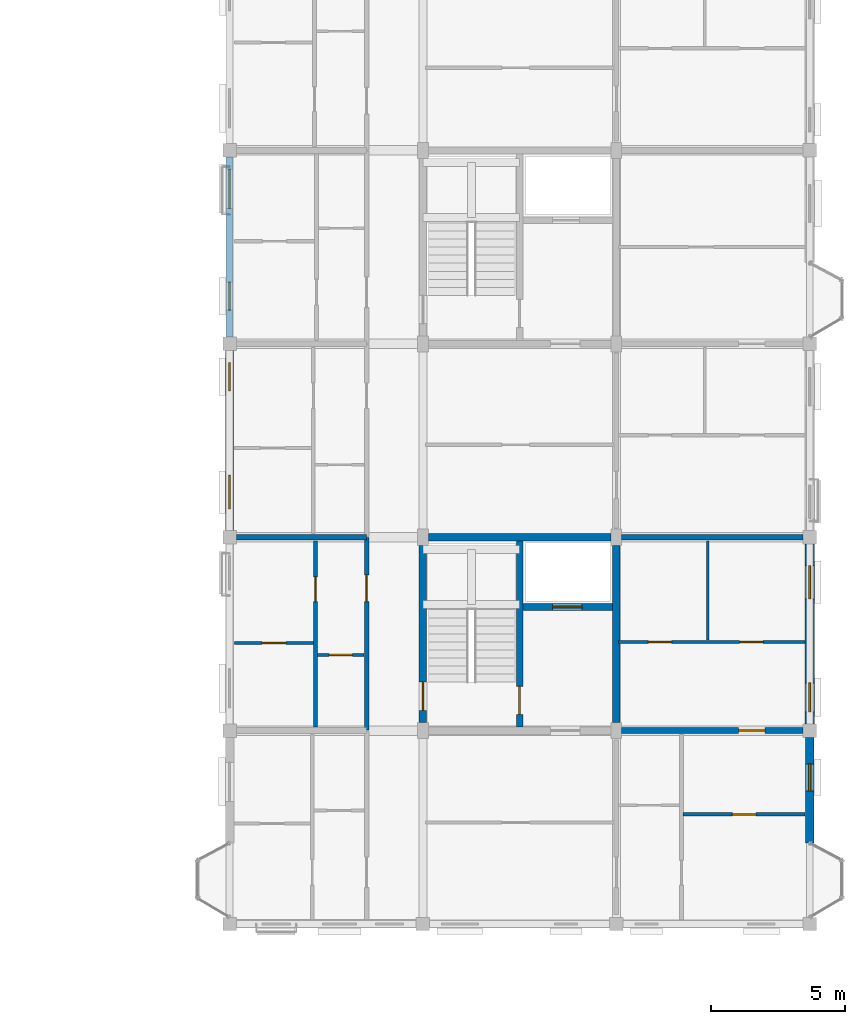
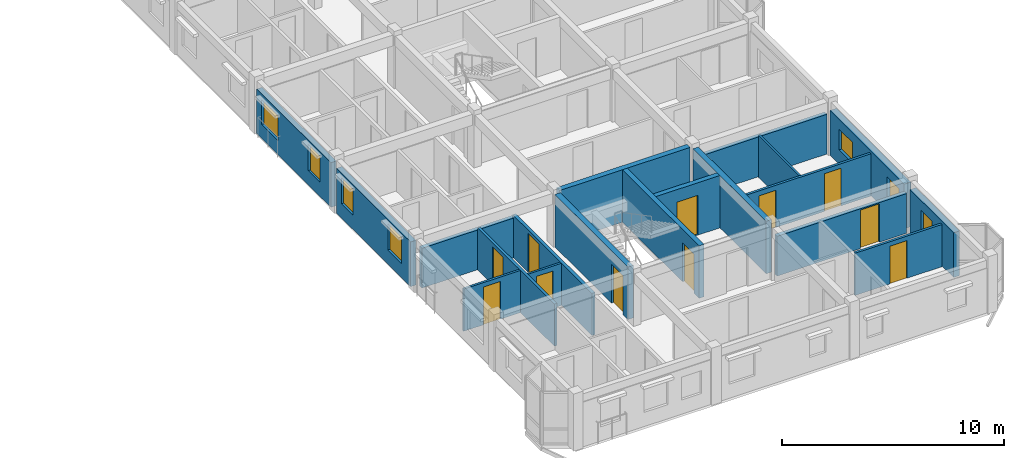
# One storey, part 48 of 64: 19 walls, 11 doors, 7 windows, 18 openings.
"""IFC4 building model written with IfcOpenShell, lengths in metres."""

from ifc_helpers import new_model, si_unit, direction, frame, frame_2d, origin, place, context, subcontext, project, spatial, rectangle, extrude, material, layer, layer_set, type_object, element, fill, save


model = new_model("IFC4")

# Units and contexts
model_context = context("Model", 3, precision=1e-05, world=origin(), true_north=direction((0.0, 1.0)))
body_context = subcontext(model_context, "Body", "Model", "MODEL_VIEW")
ifc_project = project(units=[si_unit("LENGTHUNIT", "METRE"), si_unit("AREAUNIT", "SQUARE_METRE"), si_unit("VOLUMEUNIT", "CUBIC_METRE"), si_unit("PLANEANGLEUNIT", "RADIAN"), si_unit("MASSUNIT", "GRAM", prefix="KILO"), si_unit("THERMODYNAMICTEMPERATUREUNIT", "KELVIN"), si_unit("POWERUNIT", "WATT")], contexts=[model_context])

# Site, building, storey
site_placement = place(None, origin())
site = spatial("IfcSite", under=ifc_project, at=site_placement, CompositionType="ELEMENT")
building_placement = place(site_placement, origin())
building = spatial("IfcBuilding", under=site, at=building_placement, Name="Tavuni Mirador Residences", CompositionType="ELEMENT")
storey_placement = place(building_placement, frame((0.0, 0.0, 26.550048828125)))
storey = spatial("IfcBuildingStorey", under=building, at=storey_placement, Name="L08", CompositionType="ELEMENT", Elevation=26.550048828125)

# Wall, opening, door
ifc_material_1 = material(Name="Precast concrete C40/50", Category="concrete")
ifc_layer_1 = layer(ifc_material_1, 0.25, Name="Precast concrete C40/50", Category="concrete")
ifc_layer_set_1 = layer_set([ifc_layer_1], Name="Precast concrete C40/50")
wall_type_1 = type_object("IfcWallType", Name="WT-COR250", PredefinedType="SHEAR", material=ifc_layer_set_1)
wall_1_placement = place(storey_placement, frame((108.0, 93.739990234375, 0.0), z_axis=(0.0, 0.0, 1.0), x_axis=(0.0, 1.0, 0.0)))
wall_1 = element("IfcWall", 1, at=wall_1_placement, inside=storey, type_object=wall_type_1, Name="CWALL-C7-L08-MID", PredefinedType="SHEAR", context=body_context, shape_type="SweptSolid", body=[
    extrude(rectangle(XDim=6.919921875, YDim=0.25, at=frame_2d((3.4599609375, 0.0))), origin(), (0.0, 0.0, 1.0), 2.889892578125),
])
opening_1_placement = place(wall_1_placement, frame((0.4599609375, 0.0, 0.0)))
opening_1 = element("IfcOpeningElement", 2, at=opening_1_placement, cuts=wall_1, Name="Opening D-01", PredefinedType="OPENING", context=body_context, shape_type="SweptSolid", body=[
    extrude(rectangle(XDim=1.050048828125, YDim=2.14990234375, at=frame_2d((0.52490234375, 1.074951171875))), frame((0.0, 0.135009765625, 0.0), z_axis=(0.0, -1.0, 0.0), x_axis=(1.0, 0.0, 0.0)), (0.0, 0.0, 1.0), 0.27001953125),
])
ifc_material_2 = material(Name="Solid core iroko timber", Category="wood")
door_type_1 = type_object("IfcDoorType", Name="DT-ST1050", OperationType="NOTDEFINED", PredefinedType="DOOR", material=ifc_material_2)
door_1_placement = place(opening_1_placement, origin())
door_1 = element("IfcDoor", 3, at=door_1_placement, inside=storey, type_object=door_type_1, Name="DR-2299", OperationType="SINGLE_SWING_LEFT", OverallHeight=2.14990234375, OverallWidth=1.050048828125, PredefinedType="DOOR", context=body_context, shape_type="SweptSolid", body=[
    extrude(rectangle(XDim=1.050048828125, YDim=2.14990234375, at=frame_2d((0.52490234375, 1.074951171875))), frame((0.0, 0.02490234375, 0.0), z_axis=(0.0, -1.0, 0.0), x_axis=(1.0, 0.0, 0.0)), (0.0, 0.0, 1.0), 0.050048828125),
])
fill(opening_1, door_1)

wall_2_placement = place(storey_placement, frame((108.125, 98.199951171875, 0.0), z_axis=(0.0, 0.0, 1.0), x_axis=(1.0, 0.0, 0.0)))
wall_2 = element("IfcWall", 4, at=wall_2_placement, inside=storey, type_object=wall_type_1, Name="CWALL-C7-L08-SHF", PredefinedType="SHEAR", context=body_context, shape_type="SweptSolid", body=[
    extrude(rectangle(XDim=3.3349609375, YDim=0.25, at=frame_2d((1.66748046875, 0.0))), origin(), (0.0, 0.0, 1.0), 2.889892578125),
])
opening_2_placement = place(wall_2_placement, frame((1.10009765625, 0.0, 0.0)))
opening_2 = element("IfcOpeningElement", 5, at=opening_2_placement, cuts=wall_2, Name="Opening LD-01", PredefinedType="OPENING", context=body_context, shape_type="SweptSolid", body=[
    extrude(rectangle(XDim=1.10009765625, YDim=2.199951171875, at=frame_2d((0.550048828125, 1.10009765625))), frame((0.0, 0.135009765625, 0.0), z_axis=(0.0, -1.0, 0.0), x_axis=(1.0, 0.0, 0.0)), (0.0, 0.0, 1.0), 0.27001953125),
])
ifc_material_3 = material(Name="Structural steel S355", Category="steel")
door_type_2 = type_object("IfcDoorType", Name="DT-LD-FF", OperationType="SLIDING_TO_LEFT", PredefinedType="DOOR", material=ifc_material_3)
door_2_placement = place(opening_2_placement, origin())
door_2 = element("IfcDoor", 6, at=door_2_placement, inside=storey, type_object=door_type_2, Name="Lift landing door FL-D1 L08", OperationType="SLIDING_TO_LEFT", OverallHeight=2.199951171875, OverallWidth=1.10009765625, PredefinedType="DOOR", context=body_context, shape_type="SweptSolid", body=[
    extrude(rectangle(XDim=1.10009765625, YDim=2.199951171875, at=frame_2d((0.550048828125, 1.10009765625))), frame((0.0, 0.02490234375, 0.0), z_axis=(0.0, -1.0, 0.0), x_axis=(1.0, 0.0, 0.0)), (0.0, 0.0, 1.0), 0.050048828125),
])
fill(opening_2, door_2)

ifc_layer_2 = layer(ifc_material_1, 0.280029296875, Name="Precast concrete C40/50", Category="concrete")
ifc_layer_set_2 = layer_set([ifc_layer_2], Name="Precast concrete C40/50")
wall_type_2 = type_object("IfcWallType", Name="WT-COR280", PredefinedType="SHEAR", material=ifc_layer_set_2)
wall_3_placement = place(storey_placement, frame((104.39990234375, 93.89990234375, 0.0), z_axis=(0.0, 0.0, 1.0), x_axis=(0.0, 1.0, 0.0)))
wall_3 = element("IfcWall", 7, at=wall_3_placement, inside=storey, type_object=wall_type_2, Name="CWALL-C7-L08-W", PredefinedType="SHEAR", context=body_context, shape_type="SweptSolid", body=[
    extrude(rectangle(XDim=6.60009765625, YDim=0.280029296875, at=frame_2d((3.300048828125, 0.0))), origin(), (0.0, 0.0, 1.0), 2.889892578125),
])
opening_3_placement = place(wall_3_placement, frame((0.449951171875, 0.0, 0.0)))
opening_3 = element("IfcOpeningElement", 8, at=opening_3_placement, cuts=wall_3, Name="Opening D-01", PredefinedType="OPENING", context=body_context, shape_type="SweptSolid", body=[
    extrude(rectangle(XDim=1.050048828125, YDim=2.14990234375, at=frame_2d((0.52490234375, 1.074951171875))), frame((0.0, 0.14990234375, 0.0), z_axis=(0.0, -1.0, 0.0), x_axis=(1.0, 0.0, 0.0)), (0.0, 0.0, 1.0), 0.300048828125),
])
door_3_placement = place(opening_3_placement, origin())
door_3 = element("IfcDoor", 9, at=door_3_placement, inside=storey, type_object=door_type_1, Name="DR-2297", OperationType="SINGLE_SWING_RIGHT", OverallHeight=2.14990234375, OverallWidth=1.050048828125, PredefinedType="DOOR", context=body_context, shape_type="SweptSolid", body=[
    extrude(rectangle(XDim=1.050048828125, YDim=2.14990234375, at=frame_2d((0.52490234375, 1.074951171875))), frame((0.0, 0.02490234375, 0.0), z_axis=(0.0, -1.0, 0.0), x_axis=(1.0, 0.0, 0.0)), (0.0, 0.0, 1.0), 0.050048828125),
])
fill(opening_3, door_3)

# Walls
wall_4_placement = place(storey_placement, frame((104.60009765625, 100.800048828125, 0.0), z_axis=(0.0, 0.0, 1.0), x_axis=(1.0, 0.0, 0.0)))
element("IfcWall", 10, at=wall_4_placement, inside=storey, type_object=wall_type_2, Name="CWALL-C7-L08-N", PredefinedType="SHEAR", context=body_context, shape_type="SweptSolid", body=[
    extrude(rectangle(XDim=6.7998046875, YDim=0.280029296875, at=frame_2d((3.39990234375, 0.0))), origin(), (0.0, 0.0, 1.0), 2.889892578125),
])
wall_5_placement = place(storey_placement, frame((111.60009765625, 93.89990234375, 0.0), z_axis=(0.0, 0.0, 1.0), x_axis=(0.0, 1.0, 0.0)))
element("IfcWall", 11, at=wall_5_placement, inside=storey, type_object=wall_type_2, Name="CWALL-C7-L08-E", PredefinedType="SHEAR", context=body_context, shape_type="SweptSolid", body=[
    extrude(rectangle(XDim=6.60009765625, YDim=0.280029296875, at=frame_2d((3.300048828125, 0.0))), origin(), (0.0, 0.0, 1.0), 2.889892578125),
])

# Wall, opening, door
ifc_layer_3 = layer(ifc_material_1, 0.1650390625, Name="Precast concrete C40/50", Category="concrete")
ifc_layer_set_3 = layer_set([ifc_layer_3], Name="Precast concrete C40/50")
wall_type_3 = type_object("IfcWallType", Name="WT-CORR165", PredefinedType="PARTITIONING", material=ifc_layer_set_3)
wall_6_placement = place(storey_placement, frame((102.300048828125, 93.6201171875, 0.0), z_axis=(0.0, 0.0, 1.0), x_axis=(0.0, 1.0, 0.0)))
wall_6 = element("IfcWall", 12, at=wall_6_placement, inside=storey, type_object=wall_type_3, Name="CORW-BLK-D-L08-0-01", PredefinedType="PARTITIONING", context=body_context, shape_type="SweptSolid", body=[
    extrude(rectangle(XDim=7.159912109375, YDim=0.1650390625, at=frame_2d((3.580078125, 0.0))), origin(), (0.0, 0.0, 1.0), 2.324951171875),
])
opening_4_placement = place(wall_6_placement, frame((4.780029296875, 0.0, 0.0)))
opening_4 = element("IfcOpeningElement", 13, at=opening_4_placement, cuts=wall_6, Name="Opening D-03", PredefinedType="OPENING", context=body_context, shape_type="SweptSolid", body=[
    extrude(rectangle(XDim=1.0, YDim=2.14990234375, at=frame_2d((0.5, 1.074951171875))), frame((0.0, 0.092529296875, 0.0), z_axis=(0.0, -1.0, 0.0), x_axis=(1.0, 0.0, 0.0)), (0.0, 0.0, 1.0), 0.18505859375),
])
door_type_3 = type_object("IfcDoorType", Name="DT-FD60-1000", OperationType="NOTDEFINED", PredefinedType="DOOR", material=ifc_material_2)
door_4_placement = place(opening_4_placement, origin())
door_4 = element("IfcDoor", 14, at=door_4_placement, inside=storey, type_object=door_type_3, Name="DR-2904", OperationType="SINGLE_SWING_LEFT", OverallHeight=2.14990234375, OverallWidth=1.0, PredefinedType="DOOR", context=body_context, shape_type="SweptSolid", body=[
    extrude(rectangle(XDim=1.0, YDim=2.14990234375, at=frame_2d((0.5, 1.074951171875))), frame((0.0, 0.02490234375, 0.0), z_axis=(0.0, -1.0, 0.0), x_axis=(1.0, 0.0, 0.0)), (0.0, 0.0, 1.0), 0.050048828125),
])
fill(opening_4, door_4)

# Wall, openings, windows
ifc_material_4 = material(Name="Sgraffito lime-rendered precast concrete C40/50", Category="concrete")
ifc_layer_4 = layer(ifc_material_4, 0.27490234375, Name="Sgraffito lime-rendered precast concrete C40/50", Category="concrete")
ifc_layer_set_4 = layer_set([ifc_layer_4], Name="Sgraffito lime-rendered precast concrete C40/50")
wall_type_4 = type_object("IfcWallType", Name="WT-EXT-PC275", PredefinedType="SOLIDWALL", material=ifc_layer_set_4)
wall_7_placement = place(storey_placement, frame((97.199951171875, 114.949951171875, 0.0), z_axis=(0.0, 0.0, 1.0), x_axis=(0.0, -1.0, 0.0)))
wall_7 = element("IfcWall", 15, at=wall_7_placement, inside=storey, type_object=wall_type_4, Name="EW-BLK-D-L08-W03", PredefinedType="SOLIDWALL", context=body_context, shape_type="SweptSolid", body=[
    extrude(rectangle(XDim=6.699951171875, YDim=0.27490234375, at=frame_2d((3.35009765625, 0.0))), origin(), (0.0, 0.0, 1.0), 2.4599609375),
])
opening_5_placement = place(wall_7_placement, frame((0.449951171875, 0.0, 0.780029296875)))
opening_5 = element("IfcOpeningElement", 16, at=opening_5_placement, cuts=wall_7, Name="Opening WN-24", PredefinedType="OPENING", context=body_context, shape_type="SweptSolid", body=[
    extrude(rectangle(XDim=1.4599609375, YDim=1.360107421875, at=frame_2d((0.72998046875, 0.68017578125))), frame((0.0, 0.1474609375, 0.0), z_axis=(0.0, -1.0, 0.0), x_axis=(1.0, 0.0, 0.0)), (0.0, 0.0, 1.0), 0.294921875),
])
opening_6_placement = place(wall_7_placement, frame((4.64990234375, 0.0, 0.780029296875)))
opening_6 = element("IfcOpeningElement", 17, at=opening_6_placement, cuts=wall_7, Name="Opening WN-26", PredefinedType="OPENING", context=body_context, shape_type="SweptSolid", body=[
    extrude(rectangle(XDim=1.050048828125, YDim=1.43994140625, at=frame_2d((0.52490234375, 0.719970703125))), frame((0.0, 0.1474609375, 0.0), z_axis=(0.0, -1.0, 0.0), x_axis=(1.0, 0.0, 0.0)), (0.0, 0.0, 1.0), 0.294921875),
])
ifc_material_5 = material(Name="Laminated solar-control glass", Category="glass")
window_type_1 = type_object("IfcWindowType", Name="WNT-24", PartitioningType="SINGLE_PANEL", PredefinedType="WINDOW", material=ifc_material_5)
window_1_placement = place(opening_5_placement, origin())
window_1 = element("IfcWindow", 18, at=window_1_placement, inside=storey, type_object=window_type_1, Name="WIN-1755", OverallHeight=1.360107421875, OverallWidth=1.4599609375, PartitioningType="SINGLE_PANEL", PredefinedType="WINDOW", context=body_context, shape_type="SweptSolid", body=[
    extrude(rectangle(XDim=1.4599609375, YDim=1.360107421875, at=frame_2d((0.72998046875, 0.68017578125))), frame((0.0, 0.030029296875, 0.0), z_axis=(0.0, -1.0, 0.0), x_axis=(1.0, 0.0, 0.0)), (0.0, 0.0, 1.0), 0.06005859375),
])
fill(opening_5, window_1)
window_type_2 = type_object("IfcWindowType", Name="WNT-26", PartitioningType="SINGLE_PANEL", PredefinedType="WINDOW", material=ifc_material_5)
window_2_placement = place(opening_6_placement, origin())
window_2 = element("IfcWindow", 19, at=window_2_placement, inside=storey, type_object=window_type_2, Name="WIN-1756", OverallHeight=1.43994140625, OverallWidth=1.050048828125, PartitioningType="SINGLE_PANEL", PredefinedType="WINDOW", context=body_context, shape_type="SweptSolid", body=[
    extrude(rectangle(XDim=1.050048828125, YDim=1.43994140625, at=frame_2d((0.52490234375, 0.719970703125))), frame((0.0, 0.030029296875, 0.0), z_axis=(0.0, -1.0, 0.0), x_axis=(1.0, 0.0, 0.0)), (0.0, 0.0, 1.0), 0.06005859375),
])
fill(opening_6, window_2)

ifc_layer_5 = layer(ifc_material_4, 0.2900390625, Name="Sgraffito lime-rendered precast concrete C40/50", Category="concrete")
ifc_layer_set_5 = layer_set([ifc_layer_5], Name="Sgraffito lime-rendered precast concrete C40/50")
wall_type_5 = type_object("IfcWallType", Name="WT-EXT-PC290", PredefinedType="SOLIDWALL", material=ifc_layer_set_5)
wall_8_placement = place(storey_placement, frame((97.199951171875, 107.75, 0.0), z_axis=(0.0, 0.0, 1.0), x_axis=(0.0, -1.0, 0.0)))
wall_8 = element("IfcWall", 20, at=wall_8_placement, inside=storey, type_object=wall_type_5, Name="EW-BLK-D-L08-W02", PredefinedType="SOLIDWALL", context=body_context, shape_type="SweptSolid", body=[
    extrude(rectangle(XDim=6.699951171875, YDim=0.2900390625, at=frame_2d((3.35009765625, 0.0))), origin(), (0.0, 0.0, 1.0), 2.4599609375),
])
opening_7_placement = place(wall_8_placement, frame((0.449951171875, 0.0, 0.780029296875)))
opening_7 = element("IfcOpeningElement", 21, at=opening_7_placement, cuts=wall_8, Name="Opening WN-26", PredefinedType="OPENING", context=body_context, shape_type="SweptSolid", body=[
    extrude(rectangle(XDim=1.050048828125, YDim=1.43994140625, at=frame_2d((0.52490234375, 0.719970703125))), frame((0.0, 0.155029296875, 0.0), z_axis=(0.0, -1.0, 0.0), x_axis=(1.0, 0.0, 0.0)), (0.0, 0.0, 1.0), 0.31005859375),
])
opening_8_placement = place(wall_8_placement, frame((4.64990234375, 0.0, 0.780029296875)))
opening_8 = element("IfcOpeningElement", 22, at=opening_8_placement, cuts=wall_8, Name="Opening WN-28", PredefinedType="OPENING", context=body_context, shape_type="SweptSolid", body=[
    extrude(rectangle(XDim=1.25, YDim=1.43994140625, at=frame_2d((0.625, 0.719970703125))), frame((0.0, 0.155029296875, 0.0), z_axis=(0.0, -1.0, 0.0), x_axis=(1.0, 0.0, 0.0)), (0.0, 0.0, 1.0), 0.31005859375),
])
window_3_placement = place(opening_7_placement, origin())
window_3 = element("IfcWindow", 23, at=window_3_placement, inside=storey, type_object=window_type_2, Name="WIN-1757", OverallHeight=1.43994140625, OverallWidth=1.050048828125, PartitioningType="SINGLE_PANEL", PredefinedType="WINDOW", context=body_context, shape_type="SweptSolid", body=[
    extrude(rectangle(XDim=1.050048828125, YDim=1.43994140625, at=frame_2d((0.52490234375, 0.719970703125))), frame((0.0, 0.030029296875, 0.0), z_axis=(0.0, -1.0, 0.0), x_axis=(1.0, 0.0, 0.0)), (0.0, 0.0, 1.0), 0.06005859375),
])
fill(opening_7, window_3)
window_type_3 = type_object("IfcWindowType", Name="WNT-28", PartitioningType="SINGLE_PANEL", PredefinedType="WINDOW", material=ifc_material_5)
window_4_placement = place(opening_8_placement, origin())
window_4 = element("IfcWindow", 24, at=window_4_placement, inside=storey, type_object=window_type_3, Name="WIN-1758", OverallHeight=1.43994140625, OverallWidth=1.25, PartitioningType="SINGLE_PANEL", PredefinedType="WINDOW", context=body_context, shape_type="SweptSolid", body=[
    extrude(rectangle(XDim=1.25, YDim=1.43994140625, at=frame_2d((0.625, 0.719970703125))), frame((0.0, 0.030029296875, 0.0), z_axis=(0.0, -1.0, 0.0), x_axis=(1.0, 0.0, 0.0)), (0.0, 0.0, 1.0), 0.06005859375),
])
fill(opening_8, window_4)

# Wall, opening, window
ifc_layer_6 = layer(ifc_material_4, 0.31494140625, Name="Sgraffito lime-rendered precast concrete C40/50", Category="concrete")
ifc_layer_set_6 = layer_set([ifc_layer_6], Name="Sgraffito lime-rendered precast concrete C40/50")
wall_type_6 = type_object("IfcWallType", Name="WT-EXT-PC315", PredefinedType="SOLIDWALL", material=ifc_layer_set_6)
wall_9_placement = place(storey_placement, frame((118.800048828125, 89.419921875, 0.0), z_axis=(0.0, 0.0, 1.0), x_axis=(0.0, 1.0, 0.0)))
wall_9 = element("IfcWall", 25, at=wall_9_placement, inside=storey, type_object=wall_type_6, Name="EW-BLK-D-L08-E00", PredefinedType="SOLIDWALL", context=body_context, shape_type="SweptSolid", body=[
    extrude(rectangle(XDim=3.93017578125, YDim=0.31494140625, at=frame_2d((1.965087890625, 0.0))), origin(), (0.0, 0.0, 1.0), 2.4599609375),
])
opening_9_placement = place(wall_9_placement, frame((1.93994140625, 0.0, 0.780029296875)))
opening_9 = element("IfcOpeningElement", 26, at=opening_9_placement, cuts=wall_9, Name="Opening WN-03", PredefinedType="OPENING", context=body_context, shape_type="SweptSolid", body=[
    extrude(rectangle(XDim=1.0, YDim=1.14990234375, at=frame_2d((0.5, 0.574951171875))), frame((0.0, 0.16748046875, 0.0), z_axis=(0.0, -1.0, 0.0), x_axis=(1.0, 0.0, 0.0)), (0.0, 0.0, 1.0), 0.3349609375),
])
window_type_4 = type_object("IfcWindowType", Name="WNT-03", PartitioningType="SINGLE_PANEL", PredefinedType="WINDOW", material=ifc_material_5)
window_5_placement = place(opening_9_placement, origin())
window_5 = element("IfcWindow", 27, at=window_5_placement, inside=storey, type_object=window_type_4, Name="WIN-1734", OverallHeight=1.14990234375, OverallWidth=1.0, PartitioningType="SINGLE_PANEL", PredefinedType="WINDOW", context=body_context, shape_type="SweptSolid", body=[
    extrude(rectangle(XDim=1.0, YDim=1.14990234375, at=frame_2d((0.5, 0.574951171875))), frame((0.0, 0.030029296875, 0.0), z_axis=(0.0, -1.0, 0.0), x_axis=(1.0, 0.0, 0.0)), (0.0, 0.0, 1.0), 0.06005859375),
])
fill(opening_9, window_5)

# Wall, openings, windows
ifc_layer_7 = layer(ifc_material_4, 0.344970703125, Name="Sgraffito lime-rendered precast concrete C40/50", Category="concrete")
ifc_layer_set_7 = layer_set([ifc_layer_7], Name="Sgraffito lime-rendered precast concrete C40/50")
wall_type_7 = type_object("IfcWallType", Name="WT-EXT-PTY345", PredefinedType="SOLIDWALL", material=ifc_layer_set_7)
wall_10_placement = place(storey_placement, frame((118.800048828125, 93.85009765625, 0.0), z_axis=(0.0, 0.0, 1.0), x_axis=(0.0, 1.0, 0.0)))
wall_10 = element("IfcWall", 28, at=wall_10_placement, inside=storey, type_object=wall_type_7, Name="EW-BLK-D-L08-E01", PredefinedType="SOLIDWALL", context=body_context, shape_type="SweptSolid", body=[
    extrude(rectangle(XDim=6.699951171875, YDim=0.344970703125, at=frame_2d((3.35009765625, 0.0))), origin(), (0.0, 0.0, 1.0), 2.4599609375),
])
opening_10_placement = place(wall_10_placement, frame((0.449951171875, 0.0, 0.780029296875)))
opening_10 = element("IfcOpeningElement", 29, at=opening_10_placement, cuts=wall_10, Name="Opening WN-04", PredefinedType="OPENING", context=body_context, shape_type="SweptSolid", body=[
    extrude(rectangle(XDim=1.080078125, YDim=1.14990234375, at=frame_2d((0.5400390625, 0.574951171875))), frame((0.0, 0.1826171875, 0.0), z_axis=(0.0, -1.0, 0.0), x_axis=(1.0, 0.0, 0.0)), (0.0, 0.0, 1.0), 0.364990234375),
])
opening_11_placement = place(wall_10_placement, frame((4.64990234375, 0.0, 0.780029296875)))
opening_11 = element("IfcOpeningElement", 30, at=opening_11_placement, cuts=wall_10, Name="Opening WN-06", PredefinedType="OPENING", context=body_context, shape_type="SweptSolid", body=[
    extrude(rectangle(XDim=1.239990234375, YDim=1.14990234375, at=frame_2d((0.6201171875, 0.574951171875))), frame((0.0, 0.1826171875, 0.0), z_axis=(0.0, -1.0, 0.0), x_axis=(1.0, 0.0, 0.0)), (0.0, 0.0, 1.0), 0.364990234375),
])
window_type_5 = type_object("IfcWindowType", Name="WNT-04", PartitioningType="SINGLE_PANEL", PredefinedType="WINDOW", material=ifc_material_5)
window_6_placement = place(opening_10_placement, origin())
window_6 = element("IfcWindow", 31, at=window_6_placement, inside=storey, type_object=window_type_5, Name="WIN-1735", OverallHeight=1.14990234375, OverallWidth=1.080078125, PartitioningType="SINGLE_PANEL", PredefinedType="WINDOW", context=body_context, shape_type="SweptSolid", body=[
    extrude(rectangle(XDim=1.080078125, YDim=1.14990234375, at=frame_2d((0.5400390625, 0.574951171875))), frame((0.0, 0.030029296875, 0.0), z_axis=(0.0, -1.0, 0.0), x_axis=(1.0, 0.0, 0.0)), (0.0, 0.0, 1.0), 0.06005859375),
])
fill(opening_10, window_6)
window_type_6 = type_object("IfcWindowType", Name="WNT-06", PartitioningType="SINGLE_PANEL", PredefinedType="WINDOW", material=ifc_material_5)
window_7_placement = place(opening_11_placement, origin())
window_7 = element("IfcWindow", 32, at=window_7_placement, inside=storey, type_object=window_type_6, Name="WIN-1736", OverallHeight=1.14990234375, OverallWidth=1.239990234375, PartitioningType="SINGLE_PANEL", PredefinedType="WINDOW", context=body_context, shape_type="SweptSolid", body=[
    extrude(rectangle(XDim=1.239990234375, YDim=1.14990234375, at=frame_2d((0.6201171875, 0.574951171875))), frame((0.0, 0.030029296875, 0.0), z_axis=(0.0, -1.0, 0.0), x_axis=(1.0, 0.0, 0.0)), (0.0, 0.0, 1.0), 0.06005859375),
])
fill(opening_11, window_7)

# Wall
ifc_material_6 = material(Name="Acoustic gypsum and concrete block partition", Category="concrete")
ifc_layer_8 = layer(ifc_material_6, 0.094970703125, Name="Acoustic gypsum and concrete block partition", Category="concrete")
ifc_layer_set_8 = layer_set([ifc_layer_8], Name="Acoustic gypsum and concrete block partition")
wall_type_8 = type_object("IfcWallType", Name="WT-PART095", PredefinedType="PARTITIONING", material=ifc_layer_set_8)
wall_11_placement = place(storey_placement, frame((115.0, 96.969970703125, 0.0), z_axis=(0.0, 0.0, 1.0), x_axis=(0.0, 1.0, 0.0)))
element("IfcWall", 33, at=wall_11_placement, inside=storey, type_object=wall_type_8, Name="PW-BLK-D-L08-PF01-V", PredefinedType="PARTITIONING", context=body_context, shape_type="SweptSolid", body=[
    extrude(rectangle(XDim=3.68994140625, YDim=0.094970703125, at=frame_2d((1.844970703125, 0.0))), origin(), (0.0, 0.0, 1.0), 2.324951171875),
])

# Wall, opening, door
ifc_layer_9 = layer(ifc_material_6, 0.10498046875, Name="Acoustic gypsum and concrete block partition", Category="concrete")
ifc_layer_set_9 = layer_set([ifc_layer_9], Name="Acoustic gypsum and concrete block partition")
wall_type_9 = type_object("IfcWallType", Name="WT-PART105", PredefinedType="PARTITIONING", material=ifc_layer_set_9)
wall_12_placement = place(storey_placement, frame((100.469970703125, 96.419921875, 0.0), z_axis=(0.0, 0.0, 1.0), x_axis=(1.0, 0.0, 0.0)))
wall_12 = element("IfcWall", 34, at=wall_12_placement, inside=storey, type_object=wall_type_9, Name="PW-BLK-D-L08-W01-IN1", PredefinedType="PARTITIONING", context=body_context, shape_type="SweptSolid", body=[
    extrude(rectangle(XDim=1.739990234375, YDim=0.10498046875, at=frame_2d((0.8701171875, 0.0))), origin(), (0.0, 0.0, 1.0), 2.324951171875),
])
opening_12_placement = place(wall_12_placement, frame((0.43505859375, 0.0, 0.0)))
opening_12 = element("IfcOpeningElement", 35, at=opening_12_placement, cuts=wall_12, Name="Opening D-10", PredefinedType="OPENING", context=body_context, shape_type="SweptSolid", body=[
    extrude(rectangle(XDim=0.8701171875, YDim=2.050048828125, at=frame_2d((0.43505859375, 1.02490234375))), frame((0.0, 0.0625, 0.0), z_axis=(0.0, -1.0, 0.0), x_axis=(1.0, 0.0, 0.0)), (0.0, 0.0, 1.0), 0.125),
])
door_type_4 = type_object("IfcDoorType", Name="DT-WC870", OperationType="NOTDEFINED", PredefinedType="DOOR", material=ifc_material_2)
door_5_placement = place(opening_12_placement, origin())
door_5 = element("IfcDoor", 36, at=door_5_placement, inside=storey, type_object=door_type_4, Name="DR-4588", OperationType="SINGLE_SWING_LEFT", OverallHeight=2.050048828125, OverallWidth=0.8701171875, PredefinedType="DOOR", context=body_context, shape_type="SweptSolid", body=[
    extrude(rectangle(XDim=0.8701171875, YDim=2.050048828125, at=frame_2d((0.43505859375, 1.02490234375))), frame((0.0, 0.02490234375, 0.0), z_axis=(0.0, -1.0, 0.0), x_axis=(1.0, 0.0, 0.0)), (0.0, 0.0, 1.0), 0.050048828125),
])
fill(opening_12, door_5)

ifc_layer_10 = layer(ifc_material_6, 0.114990234375, Name="Acoustic gypsum and concrete block partition", Category="concrete")
ifc_layer_set_10 = layer_set([ifc_layer_10], Name="Acoustic gypsum and concrete block partition")
wall_type_10 = type_object("IfcWallType", Name="WT-PART115", PredefinedType="PARTITIONING", material=ifc_layer_set_10)
wall_13_placement = place(storey_placement, frame((97.375, 96.860107421875, 0.0), z_axis=(0.0, 0.0, 1.0), x_axis=(1.0, 0.0, 0.0)))
wall_13 = element("IfcWall", 37, at=wall_13_placement, inside=storey, type_object=wall_type_10, Name="PW-BLK-D-L08-W01-OUT", PredefinedType="PARTITIONING", context=body_context, shape_type="SweptSolid", body=[
    extrude(rectangle(XDim=2.955078125, YDim=0.114990234375, at=frame_2d((1.4775390625, 0.0))), origin(), (0.0, 0.0, 1.0), 2.324951171875),
])
opening_13_placement = place(wall_13_placement, frame((1.03759765625, 0.0, 0.0)))
opening_13 = element("IfcOpeningElement", 38, at=opening_13_placement, cuts=wall_13, Name="Opening D-08", PredefinedType="OPENING", context=body_context, shape_type="SweptSolid", body=[
    extrude(rectangle(XDim=0.8798828125, YDim=2.080078125, at=frame_2d((0.43994140625, 1.0400390625))), frame((0.0, 0.0673828125, 0.0), z_axis=(0.0, -1.0, 0.0), x_axis=(1.0, 0.0, 0.0)), (0.0, 0.0, 1.0), 0.135009765625),
])
door_type_5 = type_object("IfcDoorType", Name="DT-BED880", OperationType="NOTDEFINED", PredefinedType="DOOR", material=ifc_material_2)
door_6_placement = place(opening_13_placement, origin())
door_6 = element("IfcDoor", 39, at=door_6_placement, inside=storey, type_object=door_type_5, Name="DR-4587", OperationType="SINGLE_SWING_RIGHT", OverallHeight=2.080078125, OverallWidth=0.8798828125, PredefinedType="DOOR", context=body_context, shape_type="SweptSolid", body=[
    extrude(rectangle(XDim=0.8798828125, YDim=2.080078125, at=frame_2d((0.43994140625, 1.0400390625))), frame((0.0, 0.02490234375, 0.0), z_axis=(0.0, -1.0, 0.0), x_axis=(1.0, 0.0, 0.0)), (0.0, 0.0, 1.0), 0.050048828125),
])
fill(opening_13, door_6)

ifc_layer_11 = layer(ifc_material_6, 0.125, Name="Acoustic gypsum and concrete block partition", Category="concrete")
ifc_layer_set_11 = layer_set([ifc_layer_11], Name="Acoustic gypsum and concrete block partition")
wall_type_11 = type_object("IfcWallType", Name="WT-PART125", PredefinedType="PARTITIONING", material=ifc_layer_set_11)
wall_14_placement = place(storey_placement, frame((114.090087890625, 90.47998046875, 0.0), z_axis=(0.0, 0.0, 1.0), x_axis=(1.0, 0.0, 0.0)))
wall_14 = element("IfcWall", 40, at=wall_14_placement, inside=storey, type_object=wall_type_11, Name="PW-BLK-D-L08-E00-OUT", PredefinedType="PARTITIONING", context=body_context, shape_type="SweptSolid", body=[
    extrude(rectangle(XDim=4.534912109375, YDim=0.125, at=frame_2d((2.267578125, 0.0))), origin(), (0.0, 0.0, 1.0), 2.324951171875),
])
opening_14_placement = place(wall_14_placement, frame((1.827392578125, 0.0, 0.0)))
opening_14 = element("IfcOpeningElement", 41, at=opening_14_placement, cuts=wall_14, Name="Opening D-08", PredefinedType="OPENING", context=body_context, shape_type="SweptSolid", body=[
    extrude(rectangle(XDim=0.8798828125, YDim=2.080078125, at=frame_2d((0.43994140625, 1.0400390625))), frame((0.0, 0.072509765625, 0.0), z_axis=(0.0, -1.0, 0.0), x_axis=(1.0, 0.0, 0.0)), (0.0, 0.0, 1.0), 0.14501953125),
])
door_7_placement = place(opening_14_placement, origin())
door_7 = element("IfcDoor", 42, at=door_7_placement, inside=storey, type_object=door_type_5, Name="DR-4584", OperationType="SINGLE_SWING_RIGHT", OverallHeight=2.080078125, OverallWidth=0.8798828125, PredefinedType="DOOR", context=body_context, shape_type="SweptSolid", body=[
    extrude(rectangle(XDim=0.8798828125, YDim=2.080078125, at=frame_2d((0.43994140625, 1.0400390625))), frame((0.0, 0.02490234375, 0.0), z_axis=(0.0, -1.0, 0.0), x_axis=(1.0, 0.0, 0.0)), (0.0, 0.0, 1.0), 0.050048828125),
])
fill(opening_14, door_7)

# Wall, openings, doors
wall_15_placement = place(storey_placement, frame((111.68994140625, 96.89990234375, 0.0), z_axis=(0.0, 0.0, 1.0), x_axis=(1.0, 0.0, 0.0)))
wall_15 = element("IfcWall", 43, at=wall_15_placement, inside=storey, type_object=wall_type_11, Name="PW-BLK-D-L08-PF01-H", PredefinedType="PARTITIONING", context=body_context, shape_type="SweptSolid", body=[
    extrude(rectangle(XDim=6.93505859375, YDim=0.125, at=frame_2d((3.467529296875, 0.0))), origin(), (0.0, 0.0, 1.0), 2.324951171875),
])
opening_15_placement = place(wall_15_placement, frame((1.10009765625, 0.0, 0.0)))
opening_15 = element("IfcOpeningElement", 44, at=opening_15_placement, cuts=wall_15, Name="Opening D-10", PredefinedType="OPENING", context=body_context, shape_type="SweptSolid", body=[
    extrude(rectangle(XDim=0.8701171875, YDim=2.050048828125, at=frame_2d((0.43505859375, 1.02490234375))), frame((0.0, 0.072509765625, 0.0), z_axis=(0.0, -1.0, 0.0), x_axis=(1.0, 0.0, 0.0)), (0.0, 0.0, 1.0), 0.14501953125),
])
opening_16_placement = place(wall_15_placement, frame((4.5, 0.0, 0.0)))
opening_16 = element("IfcOpeningElement", 45, at=opening_16_placement, cuts=wall_15, Name="Opening D-08", PredefinedType="OPENING", context=body_context, shape_type="SweptSolid", body=[
    extrude(rectangle(XDim=0.8798828125, YDim=2.080078125, at=frame_2d((0.43994140625, 1.0400390625))), frame((0.0, 0.072509765625, 0.0), z_axis=(0.0, -1.0, 0.0), x_axis=(1.0, 0.0, 0.0)), (0.0, 0.0, 1.0), 0.14501953125),
])
door_8_placement = place(opening_16_placement, origin())
door_8 = element("IfcDoor", 46, at=door_8_placement, inside=storey, type_object=door_type_5, Name="DR-4591", OperationType="SINGLE_SWING_RIGHT", OverallHeight=2.080078125, OverallWidth=0.8798828125, PredefinedType="DOOR", context=body_context, shape_type="SweptSolid", body=[
    extrude(rectangle(XDim=0.8798828125, YDim=2.080078125, at=frame_2d((0.43994140625, 1.0400390625))), frame((0.0, 0.02490234375, 0.0), z_axis=(0.0, -1.0, 0.0), x_axis=(1.0, 0.0, 0.0)), (0.0, 0.0, 1.0), 0.050048828125),
])
fill(opening_16, door_8)
door_9_placement = place(opening_15_placement, origin())
door_9 = element("IfcDoor", 47, at=door_9_placement, inside=storey, type_object=door_type_4, Name="DR-4590", OperationType="SINGLE_SWING_LEFT", OverallHeight=2.050048828125, OverallWidth=0.8701171875, PredefinedType="DOOR", context=body_context, shape_type="SweptSolid", body=[
    extrude(rectangle(XDim=0.8701171875, YDim=2.050048828125, at=frame_2d((0.43505859375, 1.02490234375))), frame((0.0, 0.02490234375, 0.0), z_axis=(0.0, -1.0, 0.0), x_axis=(1.0, 0.0, 0.0)), (0.0, 0.0, 1.0), 0.050048828125),
])
fill(opening_15, door_9)

# Wall, opening, door
ifc_layer_12 = layer(ifc_material_6, 0.139892578125, Name="Acoustic gypsum and concrete block partition", Category="concrete")
ifc_layer_set_12 = layer_set([ifc_layer_12], Name="Acoustic gypsum and concrete block partition")
wall_type_12 = type_object("IfcWallType", Name="WT-PART140", PredefinedType="PARTITIONING", material=ifc_layer_set_12)
wall_16_placement = place(storey_placement, frame((100.39990234375, 93.739990234375, 0.0), z_axis=(0.0, 0.0, 1.0), x_axis=(0.0, 1.0, 0.0)))
wall_16 = element("IfcWall", 48, at=wall_16_placement, inside=storey, type_object=wall_type_12, Name="PW-BLK-D-L08-W01-MID", PredefinedType="PARTITIONING", context=body_context, shape_type="SweptSolid", body=[
    extrude(rectangle(XDim=6.919921875, YDim=0.139892578125, at=frame_2d((3.4599609375, 0.0))), origin(), (0.0, 0.0, 1.0), 2.324951171875),
])
opening_17_placement = place(wall_16_placement, frame((4.659912109375, 0.0, 0.0)))
opening_17 = element("IfcOpeningElement", 49, at=opening_17_placement, cuts=wall_16, Name="Opening D-06", PredefinedType="OPENING", context=body_context, shape_type="SweptSolid", body=[
    extrude(rectangle(XDim=0.919921875, YDim=2.10009765625, at=frame_2d((0.4599609375, 1.050048828125))), frame((0.0, 0.080078125, 0.0), z_axis=(0.0, -1.0, 0.0), x_axis=(1.0, 0.0, 0.0)), (0.0, 0.0, 1.0), 0.159912109375),
])
door_type_6 = type_object("IfcDoorType", Name="DT-INT920", OperationType="NOTDEFINED", PredefinedType="DOOR", material=ifc_material_2)
door_10_placement = place(opening_17_placement, origin())
door_10 = element("IfcDoor", 50, at=door_10_placement, inside=storey, type_object=door_type_6, Name="DR-4589", OperationType="SINGLE_SWING_RIGHT", OverallHeight=2.10009765625, OverallWidth=0.919921875, PredefinedType="DOOR", context=body_context, shape_type="SweptSolid", body=[
    extrude(rectangle(XDim=0.919921875, YDim=2.10009765625, at=frame_2d((0.4599609375, 1.050048828125))), frame((0.0, 0.02490234375, 0.0), z_axis=(0.0, -1.0, 0.0), x_axis=(1.0, 0.0, 0.0)), (0.0, 0.0, 1.0), 0.050048828125),
])
fill(opening_17, door_10)

ifc_layer_13 = layer(ifc_material_1, 0.215087890625, Name="Precast concrete C40/50", Category="concrete")
ifc_layer_set_13 = layer_set([ifc_layer_13], Name="Precast concrete C40/50")
wall_type_13 = type_object("IfcWallType", Name="WT-XW215", PredefinedType="SOLIDWALL", material=ifc_layer_set_13)
wall_17_placement = place(storey_placement, frame((111.800048828125, 93.60009765625, 0.0), z_axis=(0.0, 0.0, 1.0), x_axis=(1.0, 0.0, 0.0)))
wall_17 = element("IfcWall", 51, at=wall_17_placement, inside=storey, type_object=wall_type_13, Name="XW-BLK-D-L08-E-01", PredefinedType="SOLIDWALL", context=body_context, shape_type="SweptSolid", body=[
    extrude(rectangle(XDim=6.75, YDim=0.215087890625, at=frame_2d((3.375, 0.0))), origin(), (0.0, 0.0, 1.0), 2.18994140625),
])
opening_18_placement = place(wall_17_placement, frame((4.35009765625, 0.0, 0.0)))
opening_18 = element("IfcOpeningElement", 52, at=opening_18_placement, cuts=wall_17, Name="Opening D-04", PredefinedType="OPENING", context=body_context, shape_type="SweptSolid", body=[
    extrude(rectangle(XDim=0.97998046875, YDim=2.1201171875, at=frame_2d((0.489990234375, 1.06005859375))), frame((0.0, 0.11767578125, 0.0), z_axis=(0.0, -1.0, 0.0), x_axis=(1.0, 0.0, 0.0)), (0.0, 0.0, 1.0), 0.235107421875),
])
door_type_7 = type_object("IfcDoorType", Name="DT-FD60-980", OperationType="NOTDEFINED", PredefinedType="DOOR", material=ifc_material_2)
door_11_placement = place(opening_18_placement, origin())
door_11 = element("IfcDoor", 53, at=door_11_placement, inside=storey, type_object=door_type_7, Name="DR-4774", OperationType="SINGLE_SWING_LEFT", OverallHeight=2.1201171875, OverallWidth=0.97998046875, PredefinedType="DOOR", context=body_context, shape_type="SweptSolid", body=[
    extrude(rectangle(XDim=0.97998046875, YDim=2.1201171875, at=frame_2d((0.489990234375, 1.06005859375))), frame((0.0, 0.02490234375, 0.0), z_axis=(0.0, -1.0, 0.0), x_axis=(1.0, 0.0, 0.0)), (0.0, 0.0, 1.0), 0.050048828125),
])
fill(opening_18, door_11)

# Walls
wall_18_placement = place(storey_placement, frame((97.449951171875, 100.800048828125, 0.0), z_axis=(0.0, 0.0, 1.0), x_axis=(1.0, 0.0, 0.0)))
element("IfcWall", 54, at=wall_18_placement, inside=storey, type_object=wall_type_13, Name="XW-BLK-D-L08-W-02", PredefinedType="SOLIDWALL", context=body_context, shape_type="SweptSolid", body=[
    extrude(rectangle(XDim=4.85009765625, YDim=0.215087890625, at=frame_2d((2.425048828125, 0.0))), origin(), (0.0, 0.0, 1.0), 2.18994140625),
])
wall_19_placement = place(storey_placement, frame((111.800048828125, 100.800048828125, 0.0), z_axis=(0.0, 0.0, 1.0), x_axis=(1.0, 0.0, 0.0)))
element("IfcWall", 55, at=wall_19_placement, inside=storey, type_object=wall_type_13, Name="XW-BLK-D-L08-E-02", PredefinedType="SOLIDWALL", context=body_context, shape_type="SweptSolid", body=[
    extrude(rectangle(XDim=6.75, YDim=0.215087890625, at=frame_2d((3.375, 0.0))), origin(), (0.0, 0.0, 1.0), 2.18994140625),
])

save(model, "model.ifc")
